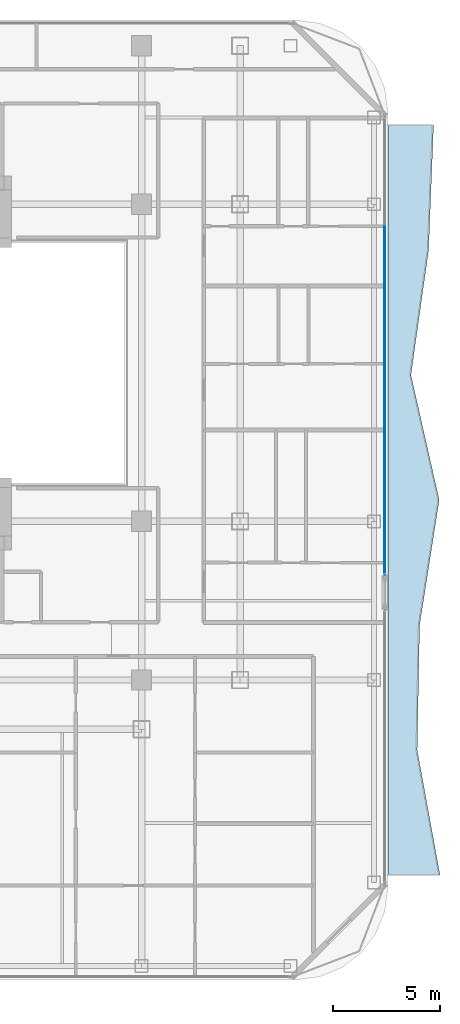
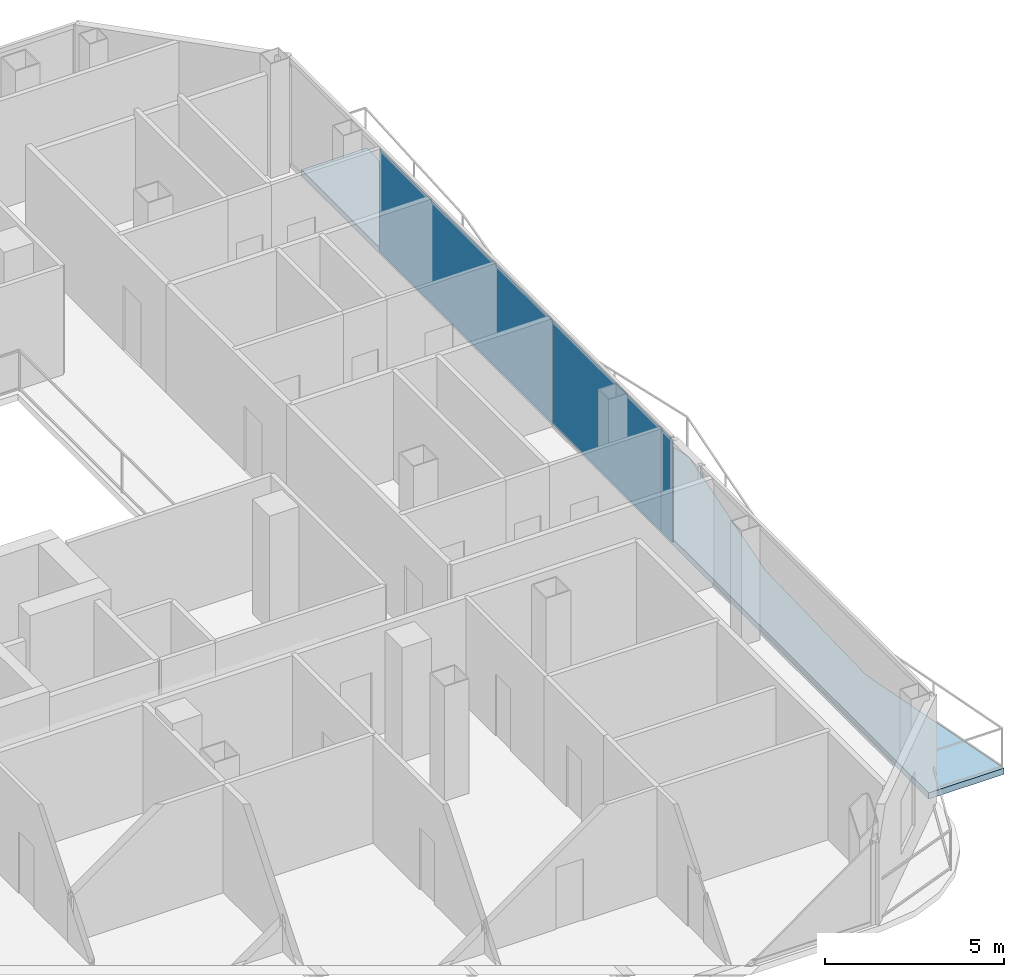
# One storey, part 19 of 27: 3 plates, 1 slab, 1 element without a shape of its own.
"""IFC4 building model written with IfcOpenShell, lengths in metres."""

from ifc_helpers import new_model, si_unit, direction, frame, origin, origin_2d, place, context, subcontext, project, spatial, polyline, rectangle, outline, extrude, material, layer, layer_set, type_object, element, aggregate, save


model = new_model("IFC4")

# Units and contexts
model_context = context("Model", 3, precision=1e-05, world=origin(), true_north=direction((0.0, 1.0)))
body_context = subcontext(model_context, "Body", "Model", "MODEL_VIEW")
ifc_project = project(units=[si_unit("LENGTHUNIT", "METRE"), si_unit("AREAUNIT", "SQUARE_METRE"), si_unit("VOLUMEUNIT", "CUBIC_METRE"), si_unit("PLANEANGLEUNIT", "RADIAN"), si_unit("MASSUNIT", "GRAM", prefix="KILO")], contexts=[model_context])

# Site, building, storey
site_placement = place(None, origin())
site = spatial("IfcSite", under=ifc_project, at=site_placement, CompositionType="ELEMENT")
building_placement = place(site_placement, origin())
building = spatial("IfcBuilding", under=site, at=building_placement, Name="Khorvyn Point Tower", CompositionType="ELEMENT")
storey_placement = place(building_placement, frame((0.0, 0.0, 246.89990234375)))
storey = spatial("IfcBuildingStorey", under=building, at=storey_placement, Name="L60", CompositionType="ELEMENT", Elevation=246.89990234375)

# Slab
ifc_material_1 = material(Name="Concrete C40/50", Category="concrete")
ifc_layer_1 = layer(ifc_material_1, 0.2099609375)
ifc_layer_set_1 = layer_set([ifc_layer_1], Name="Concrete C40/50 Rippling Balcony Slab 210")
slab_type = type_object("IfcSlabType", Name="Concrete C40/50 Rippling Balcony Slab 210", PredefinedType="USERDEFINED", material=ifc_layer_set_1)
slab_placement = place(storey_placement, frame((0.0, 0.0, -0.2099609375)))
element("IfcSlab", 1, at=slab_placement, inside=storey, type_object=slab_type, Name="L60 East Sinusoidal Rippling Balcony", ObjectType="BALCONY", PredefinedType="USERDEFINED", context=body_context, shape_type="SweptSolid", body=[
    extrude(outline(polyline([(26.300048828125, -23.89990234375), (28.726806640625, -23.89990234375), (27.6630859375, -18.066650390625), (27.775390625, -12.2333984375), (28.69091796875, -6.39990234375), (27.37158203125, -0.566650390625), (28.196044921875, 5.2666015625), (28.427978515625, 11.10009765625), (26.300048828125, 11.10009765625), (26.300048828125, -23.89990234375)])), origin(), (0.0, 0.0, 1.0), 0.2099609375),
])

# Curtain wall, plates
ifc_material_2 = material(Name="Anodised aluminium 6063-T6 and laminated Low-E glass", Category="aluminium")
ifc_layer_2 = layer(ifc_material_2, 0.18994140625)
ifc_layer_set_2 = layer_set([ifc_layer_2], Name="Stick-Built Acoustic Curtain Wall CW-SYS-03")
curtain_wall_type = type_object("IfcCurtainWallType", Name="Stick-Built Acoustic Curtain Wall CW-SYS-03", PredefinedType="NOTDEFINED", material=ifc_layer_set_2)
curtain_wall_placement = place(storey_placement, origin())
curtain_wall = element("IfcCurtainWall", 2, at=curtain_wall_placement, inside=storey, type_object=curtain_wall_type, Name="Curtain Wall", PredefinedType="NOTDEFINED")
ifc_material_3 = material(Name="Laminated Low-E insulated glass", Category="glass")
ifc_layer_3 = layer(ifc_material_3, 0.028076171875)
ifc_layer_set_3 = layer_set([ifc_layer_3], Name="Tempered Low-E Vision Glazing Panel CW-GL28")
plate_type = type_object("IfcPlateType", Name="Tempered Low-E Vision Glazing Panel CW-GL28", PredefinedType="CURTAIN_PANEL", material=ifc_layer_set_3)
plate_1_placement = place(storey_placement, frame((26.14990234375, -9.580078125, 0.10009765625), z_axis=(0.0, 0.0, 1.0), x_axis=(0.0, -1.0, 0.0)))
plate_1 = element("IfcPlate", 3, at=plate_1_placement, type_object=plate_type, Name="Panel", PredefinedType="CURTAIN_PANEL", context=body_context, shape_type="SweptSolid", body=[
    extrude(rectangle(XDim=0.632080078125, YDim=0.028076171875, at=origin_2d()), origin(), (0.0, 0.0, 1.0), 3.47998046875),
])
plate_2_placement = place(storey_placement, frame((26.14990234375, -6.22998046875, 0.10009765625), z_axis=(0.0, 0.0, 1.0), x_axis=(0.0, -1.0, 0.0)))
plate_2 = element("IfcPlate", 4, at=plate_2_placement, type_object=plate_type, Name="Panel", PredefinedType="CURTAIN_PANEL", context=body_context, shape_type="SweptSolid", body=[
    extrude(rectangle(XDim=6.052001953125, YDim=0.028076171875, at=origin_2d()), origin(), (0.0, 0.0, 1.0), 3.47998046875),
])
plate_3_placement = place(storey_placement, frame((26.14990234375, 1.6201171875, 0.10009765625), z_axis=(0.0, 0.0, 1.0), x_axis=(0.0, -1.0, 0.0)))
plate_3 = element("IfcPlate", 5, at=plate_3_placement, type_object=plate_type, Name="Panel", PredefinedType="CURTAIN_PANEL", context=body_context, shape_type="SweptSolid", body=[
    extrude(rectangle(XDim=9.632080078125, YDim=0.028076171875, at=origin_2d()), origin(), (0.0, 0.0, 1.0), 3.47998046875),
])
aggregate(curtain_wall, [plate_1, plate_2, plate_3])

save(model, "model.ifc")
